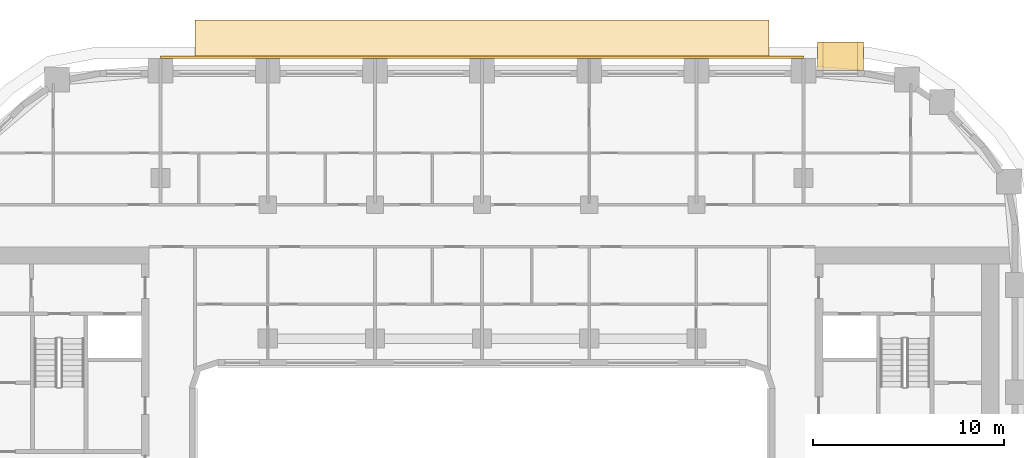
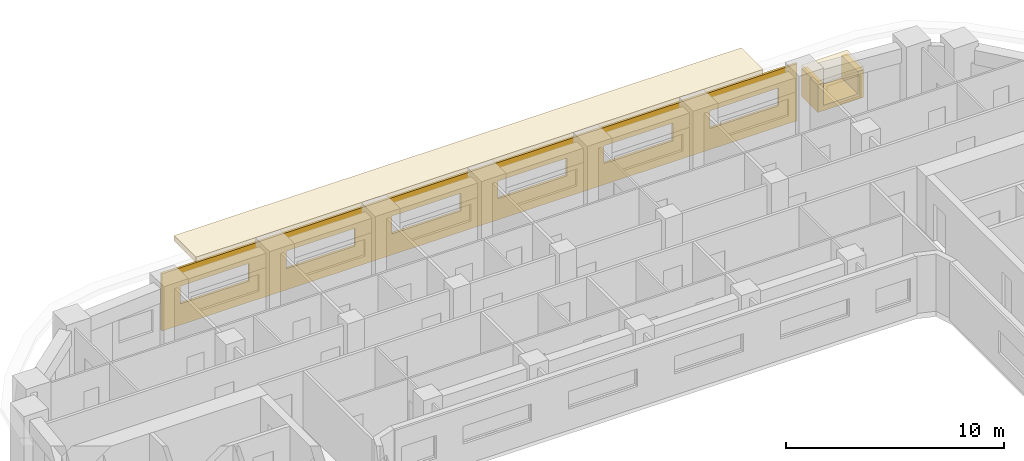
# One storey, part 20 of 21: 4 coverings.
"""IFC4 building model written with IfcOpenShell, lengths in metres."""

from ifc_helpers import new_model, si_unit, direction, frame, origin, origin_2d, place, context, subcontext, project, spatial, polyline, rectangle, outline, extrude, material, layer, layer_set, type_object, element, save


model = new_model("IFC4")

# Units and contexts
model_context = context("Model", 3, precision=1e-05, world=origin(), true_north=direction((0.0, 1.0)))
body_context = subcontext(model_context, "Body", "Model", "MODEL_VIEW")
ifc_project = project(units=[si_unit("LENGTHUNIT", "METRE"), si_unit("AREAUNIT", "SQUARE_METRE"), si_unit("VOLUMEUNIT", "CUBIC_METRE"), si_unit("PLANEANGLEUNIT", "RADIAN"), si_unit("MASSUNIT", "GRAM", prefix="KILO")], contexts=[model_context])

# Site, building, storey
site_placement = place(None, origin())
site = spatial("IfcSite", under=ifc_project, at=site_placement, CompositionType="ELEMENT")
building_placement = place(site_placement, origin())
building = spatial("IfcBuilding", under=site, at=building_placement, Name="Kiln Ring Residences", CompositionType="ELEMENT")
storey_placement = place(building_placement, frame((0.0, 0.0, 100.800048828125)))
storey = spatial("IfcBuildingStorey", under=building, at=storey_placement, Name="L25", CompositionType="ELEMENT", Elevation=100.800048828125)

# Coverings
ifc_material_1 = material(Name="Brick masonry, dark clay brick", Category="masonry")
ifc_layer_1 = layer(ifc_material_1, 0.300048828125)
ifc_layer_set_1 = layer_set([ifc_layer_1], Name="FRAME CHEEKS AND SILL 1500")
covering_type_1 = type_object("IfcCoveringType", Name="FRAME CHEEKS AND SILL 1500", PredefinedType="CLADDING", material=ifc_layer_set_1)
covering_1_placement = place(storey_placement, frame((19.925048828125, 23.14990234375, 0.599853515625), z_axis=(0.0, 0.0, 1.0), x_axis=(-1.0, 0.0, 0.0)))
element("IfcCovering", 1, at=covering_1_placement, inside=storey, type_object=covering_type_1, Name="FRAME L25", PredefinedType="CLADDING", context=body_context, shape_type="SweptSolid", body=[
    extrude(outline(polyline([(0.0, 0.0), (2.400146484375, 0.0), (2.39990234375, 1.550048828125), (2.10107421875, 1.550048828125), (2.10009765625, 0.300048828125), (0.300048828125, 0.300048828125), (0.299072265625, 1.550048828125), (0.0, 1.550048828125), (0.0, 0.0)])), frame((0.0, 0.75, 0.0), z_axis=(0.0, -1.0, 0.0), x_axis=(1.0, 0.0, 0.0)), (0.0, 0.0, 1.0), 1.5),
])
ifc_material_2 = material(Name="Brick masonry, dark clay brick", Category="masonry")
ifc_layer_2 = layer(ifc_material_2, 0.199951171875)
ifc_layer_set_2 = layer_set([ifc_layer_2], Name="FRAME HEAD 1500")
covering_type_2 = type_object("IfcCoveringType", Name="FRAME HEAD 1500", PredefinedType="CLADDING", material=ifc_layer_set_2)
covering_2_placement = place(storey_placement, frame((18.72509765625, 23.14990234375, 2.14990234375), z_axis=(0.0, 0.0, 1.0), x_axis=(-1.0, 0.0, 0.0)))
element("IfcCovering", 2, at=covering_2_placement, inside=storey, type_object=covering_type_2, Name="FRAME HEAD L25", PredefinedType="CLADDING", context=body_context, shape_type="SweptSolid", body=[
    extrude(rectangle(XDim=2.39990234375, YDim=1.5, at=origin_2d()), origin(), (0.0, 0.0, 1.0), 0.199951171875),
])
ifc_material_3 = material(Name="Brick masonry, dark clay brick", Category="masonry")
ifc_layer_3 = layer(ifc_material_3, 0.1201171875)
ifc_layer_set_3 = layer_set([ifc_layer_3], Name="RAINSCREEN PANEL 120")
covering_type_3 = type_object("IfcCoveringType", Name="RAINSCREEN PANEL 120", PredefinedType="CLADDING", material=ifc_layer_set_3)
covering_3_placement = place(storey_placement, frame((16.800048828125, 23.110107421875, 0.0), z_axis=(0.0, 0.0, 1.0), x_axis=(-1.0, 0.0, 0.0)))
element("IfcCovering", 3, at=covering_3_placement, inside=storey, type_object=covering_type_3, Name="RAINSCREEN L25", PredefinedType="CLADDING", context=body_context, shape_type="SweptSolid", body=[
    extrude(outline(polyline([(0.0, 0.0), (33.60009765625, 0.0), (33.60009765625, 3.199951171875), (0.0, 3.199951171875), (0.0, 0.0)]), holes=[polyline([(4.6201171875, 1.179931640625), (4.6201171875, 2.169921875), (0.97998046875, 2.169921875), (0.97998046875, 1.179931640625), (4.6201171875, 1.179931640625)]), polyline([(6.580078125, 1.179931640625), (10.219970703125, 1.179931640625), (10.219970703125, 2.169921875), (6.580078125, 2.169921875), (6.580078125, 1.179931640625)]), polyline([(12.179931640625, 1.179931640625), (15.820068359375, 1.179931640625), (15.820068359375, 2.169921875), (12.179931640625, 2.169921875), (12.179931640625, 1.179931640625)]), polyline([(21.419921875, 1.179931640625), (21.419921875, 2.169921875), (17.780029296875, 2.169921875), (17.780029296875, 1.179931640625), (21.419921875, 1.179931640625)]), polyline([(23.3798828125, 1.179931640625), (27.02001953125, 1.179931640625), (27.02001953125, 2.169921875), (23.3798828125, 2.169921875), (23.3798828125, 1.179931640625)]), polyline([(28.97998046875, 1.179931640625), (32.6201171875, 1.179931640625), (32.6201171875, 2.169921875), (28.97998046875, 2.169921875), (28.97998046875, 1.179931640625)])]), frame((0.0, 0.06005859375, 0.0), z_axis=(0.0, -1.0, 0.0), x_axis=(1.0, 0.0, 0.0)), (0.0, 0.0, 1.0), 0.1201171875),
])
ifc_material_4 = material(Name="Black powder-coated steel", Category="steel")
ifc_layer_4 = layer(ifc_material_4, 0.300048828125)
ifc_layer_set_4 = layer_set([ifc_layer_4], Name="SUNSHADE BAND 2000")
covering_type_4 = type_object("IfcCoveringType", Name="SUNSHADE BAND 2000", PredefinedType="CLADDING", material=ifc_layer_set_4)
covering_4_placement = place(storey_placement, frame((0.0, 0.0, 3.199951171875)))
element("IfcCovering", 4, at=covering_4_placement, inside=storey, type_object=covering_type_4, Name="SUNSHADE BAND L25", PredefinedType="CLADDING", context=body_context, shape_type="SweptSolid", body=[
    extrude(outline(polyline([(15.0, 25.050048828125), (-15.0, 25.050048828125), (-15.0, 23.050048828125), (15.0, 23.050048828125), (15.0, 25.050048828125)])), origin(), (0.0, 0.0, 1.0), 0.300048828125),
])

save(model, "model.ifc")
